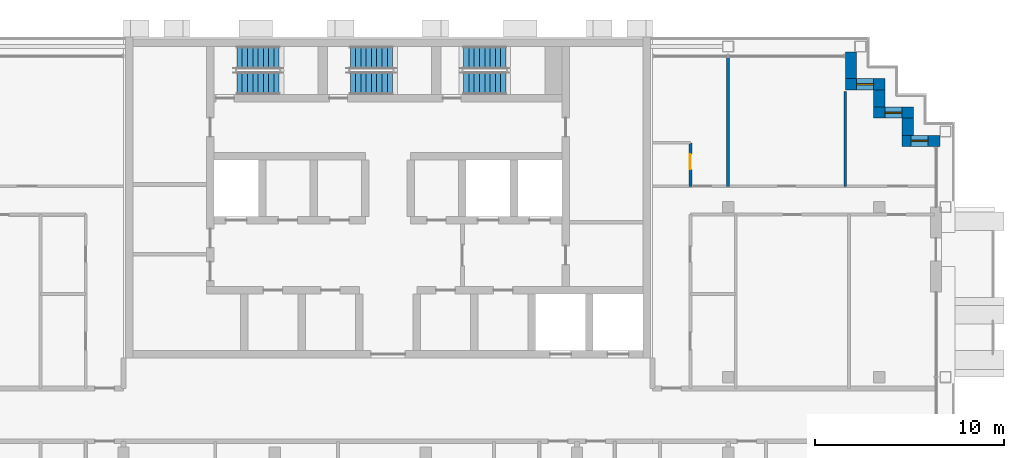
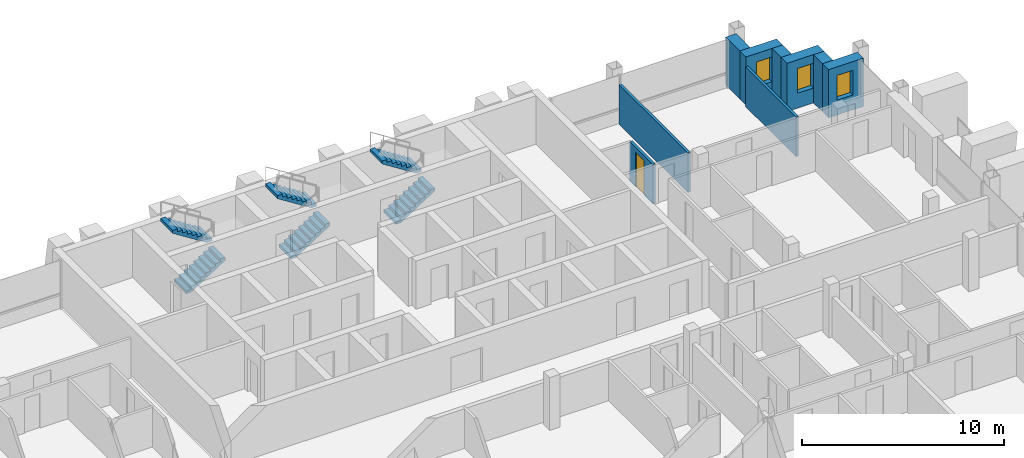
# One storey, part 12 of 16: 9 walls, 6 stair flights, 3 windows, 1 door, 4 openings, 3 elements without a shape of their own.
"""IFC4 building model written with IfcOpenShell, lengths in metres."""

from ifc_helpers import new_model, si_unit, direction, frame, frame_2d, origin, place, context, subcontext, project, spatial, polyline, rectangle, outline, extrude, material, layer, layer_set, type_object, element, fill, aggregate, save


model = new_model("IFC4")

# Units and contexts
model_context = context("Model", 3, precision=1e-05, world=origin(), true_north=direction((0.0, 1.0)))
body_context = subcontext(model_context, "Body", "Model", "MODEL_VIEW")
ifc_project = project(units=[si_unit("LENGTHUNIT", "METRE"), si_unit("AREAUNIT", "SQUARE_METRE"), si_unit("VOLUMEUNIT", "CUBIC_METRE"), si_unit("PLANEANGLEUNIT", "RADIAN"), si_unit("MASSUNIT", "GRAM", prefix="KILO")], contexts=[model_context])

# Site, building, storey
site_placement = place(None, origin())
site = spatial("IfcSite", under=ifc_project, at=site_placement, CompositionType="ELEMENT")
building_placement = place(site_placement, origin())
building = spatial("IfcBuilding", under=site, at=building_placement, Name="Vidyagriha Tower", CompositionType="ELEMENT")
storey_placement = place(building_placement, frame((0.0, 0.0, 207.60009765625)))
storey = spatial("IfcBuildingStorey", under=building, at=storey_placement, Name="L53", CompositionType="ELEMENT", Elevation=207.60009765625)

# Wall, opening, window
ifc_material_1 = material(Name="Precast concrete C40/50 with brick facing", Category="concrete")
ifc_layer_1 = layer(ifc_material_1, 0.60009765625)
ifc_layer_set_1 = layer_set([ifc_layer_1], Name="Precast concrete C40/50 with brick facing")
wall_type_1 = type_object("IfcWallType", Name="Brick-faced precast wall 600", PredefinedType="STANDARD", material=ifc_layer_set_1)
wall_1_placement = place(storey_placement, frame((29.199951171875, 14.5, 0.0), z_axis=(0.0, 0.0, 1.0), x_axis=(-1.0, 0.0, 0.0)))
wall_1 = element("IfcWall", 1, at=wall_1_placement, inside=storey, type_object=wall_type_1, Name="Stepped corner wall L53 R01", PredefinedType="STANDARD", context=body_context, shape_type="SweptSolid", body=[
    extrude(rectangle(XDim=2.0, YDim=0.60009765625, at=frame_2d((1.0, 0.0))), origin(), (0.0, 0.0, 1.0), 2.919921875),
])
opening_1_placement = place(wall_1_placement, frame((0.610107421875, 0.0, 0.89990234375)))
opening_1 = element("IfcOpeningElement", 2, at=opening_1_placement, cuts=wall_1, Name="Opening WN1", PredefinedType="OPENING", context=body_context, shape_type="SweptSolid", body=[
    extrude(rectangle(XDim=0.89990234375, YDim=1.5, at=frame_2d((0.449951171875, 0.75))), frame((0.0, 0.31005859375, 0.0), z_axis=(0.0, -1.0, 0.0), x_axis=(1.0, 0.0, 0.0)), (0.0, 0.0, 1.0), 0.6201171875),
])
ifc_material_2 = material(Name="Aluminium and glass window", Category="aluminium")
window_type = type_object("IfcWindowType", Name="Reveal window 900x1500", PartitioningType="NOTDEFINED", PredefinedType="WINDOW", material=ifc_material_2)
window_1_placement = place(opening_1_placement, origin())
window_1 = element("IfcWindow", 3, at=window_1_placement, inside=storey, type_object=window_type, Name="Reveal window L53 R01", OverallHeight=1.5, OverallWidth=0.89990234375, PartitioningType="SINGLE_PANEL", PredefinedType="WINDOW", context=body_context, shape_type="SweptSolid", body=[
    extrude(rectangle(XDim=0.89990234375, YDim=1.5, at=frame_2d((0.449951171875, 0.75))), frame((0.0, 0.030029296875, 0.0), z_axis=(0.0, -1.0, 0.0), x_axis=(1.0, 0.0, 0.0)), (0.0, 0.0, 1.0), 0.06005859375),
])
fill(opening_1, window_1)

# Wall
wall_2_placement = place(storey_placement, frame((27.5, 14.800048828125, 0.0), z_axis=(0.0, 0.0, 1.0), x_axis=(0.0, 1.0, 0.0)))
element("IfcWall", 4, at=wall_2_placement, inside=storey, type_object=wall_type_1, Name="Stepped corner wall L53 R02", PredefinedType="STANDARD", context=body_context, shape_type="SweptSolid", body=[
    extrude(rectangle(XDim=0.89990234375, YDim=0.60009765625, at=frame_2d((0.449951171875, 0.0))), origin(), (0.0, 0.0, 1.0), 2.919921875),
])

# Wall, opening, window
wall_3_placement = place(storey_placement, frame((27.800048828125, 16.0, 0.0), z_axis=(0.0, 0.0, 1.0), x_axis=(-1.0, 0.0, 0.0)))
wall_3 = element("IfcWall", 5, at=wall_3_placement, inside=storey, type_object=wall_type_1, Name="Stepped corner wall L53 R03", PredefinedType="STANDARD", context=body_context, shape_type="SweptSolid", body=[
    extrude(rectangle(XDim=2.10009765625, YDim=0.60009765625, at=frame_2d((1.050048828125, 0.0))), origin(), (0.0, 0.0, 1.0), 2.919921875),
])
opening_2_placement = place(wall_3_placement, frame((0.60009765625, 0.0, 0.89990234375)))
opening_2 = element("IfcOpeningElement", 6, at=opening_2_placement, cuts=wall_3, Name="Opening WN1", PredefinedType="OPENING", context=body_context, shape_type="SweptSolid", body=[
    extrude(rectangle(XDim=0.89990234375, YDim=1.5, at=frame_2d((0.449951171875, 0.75))), frame((0.0, 0.31005859375, 0.0), z_axis=(0.0, -1.0, 0.0), x_axis=(1.0, 0.0, 0.0)), (0.0, 0.0, 1.0), 0.6201171875),
])
window_2_placement = place(opening_2_placement, origin())
window_2 = element("IfcWindow", 7, at=window_2_placement, inside=storey, type_object=window_type, Name="Reveal window L53 R03", OverallHeight=1.5, OverallWidth=0.89990234375, PartitioningType="SINGLE_PANEL", PredefinedType="WINDOW", context=body_context, shape_type="SweptSolid", body=[
    extrude(rectangle(XDim=0.89990234375, YDim=1.5, at=frame_2d((0.449951171875, 0.75))), frame((0.0, 0.030029296875, 0.0), z_axis=(0.0, -1.0, 0.0), x_axis=(1.0, 0.0, 0.0)), (0.0, 0.0, 1.0), 0.06005859375),
])
fill(opening_2, window_2)

# Wall
wall_4_placement = place(storey_placement, frame((26.0, 16.300048828125, 0.0), z_axis=(0.0, 0.0, 1.0), x_axis=(0.0, 1.0, 0.0)))
element("IfcWall", 8, at=wall_4_placement, inside=storey, type_object=wall_type_1, Name="Stepped corner wall L53 R04", PredefinedType="STANDARD", context=body_context, shape_type="SweptSolid", body=[
    extrude(rectangle(XDim=0.89990234375, YDim=0.60009765625, at=frame_2d((0.449951171875, 0.0))), origin(), (0.0, 0.0, 1.0), 2.919921875),
])

# Wall, opening, window
wall_5_placement = place(storey_placement, frame((26.300048828125, 17.5, 0.0), z_axis=(0.0, 0.0, 1.0), x_axis=(-1.0, 0.0, 0.0)))
wall_5 = element("IfcWall", 9, at=wall_5_placement, inside=storey, type_object=wall_type_1, Name="Stepped corner wall L53 R05", PredefinedType="STANDARD", context=body_context, shape_type="SweptSolid", body=[
    extrude(rectangle(XDim=2.10009765625, YDim=0.60009765625, at=frame_2d((1.050048828125, 0.0))), origin(), (0.0, 0.0, 1.0), 2.919921875),
])
opening_3_placement = place(wall_5_placement, frame((0.60009765625, 0.0, 0.89990234375)))
opening_3 = element("IfcOpeningElement", 10, at=opening_3_placement, cuts=wall_5, Name="Opening WN1", PredefinedType="OPENING", context=body_context, shape_type="SweptSolid", body=[
    extrude(rectangle(XDim=0.89990234375, YDim=1.5, at=frame_2d((0.449951171875, 0.75))), frame((0.0, 0.31005859375, 0.0), z_axis=(0.0, -1.0, 0.0), x_axis=(1.0, 0.0, 0.0)), (0.0, 0.0, 1.0), 0.6201171875),
])
window_3_placement = place(opening_3_placement, origin())
window_3 = element("IfcWindow", 11, at=window_3_placement, inside=storey, type_object=window_type, Name="Reveal window L53 R05", OverallHeight=1.5, OverallWidth=0.89990234375, PartitioningType="SINGLE_PANEL", PredefinedType="WINDOW", context=body_context, shape_type="SweptSolid", body=[
    extrude(rectangle(XDim=0.89990234375, YDim=1.5, at=frame_2d((0.449951171875, 0.75))), frame((0.0, 0.030029296875, 0.0), z_axis=(0.0, -1.0, 0.0), x_axis=(1.0, 0.0, 0.0)), (0.0, 0.0, 1.0), 0.06005859375),
])
fill(opening_3, window_3)

# Walls
wall_6_placement = place(storey_placement, frame((24.5, 17.800048828125, 0.0), z_axis=(0.0, 0.0, 1.0), x_axis=(0.0, 1.0, 0.0)))
element("IfcWall", 12, at=wall_6_placement, inside=storey, type_object=wall_type_1, Name="Stepped corner wall L53 R06", PredefinedType="STANDARD", context=body_context, shape_type="SweptSolid", body=[
    extrude(rectangle(XDim=1.39990234375, YDim=0.60009765625, at=frame_2d((0.699951171875, 0.0))), origin(), (0.0, 0.0, 1.0), 2.919921875),
])
ifc_material_3 = material(Name="Gypsum board partition")
ifc_layer_2 = layer(ifc_material_3, 0.14990234375)
ifc_layer_set_2 = layer_set([ifc_layer_2], Name="Gypsum board partition")
wall_type_2 = type_object("IfcWallType", Name="Gypsum board partition 150", PredefinedType="PARTITIONING", material=ifc_layer_set_2)
wall_7_placement = place(storey_placement, frame((18.0, 18.9208984375, 0.0), z_axis=(0.0, 0.0, 1.0), x_axis=(0.0, -1.0, 0.0)))
element("IfcWall", 13, at=wall_7_placement, inside=storey, type_object=wall_type_2, Name="Wall all-L53-w096", PredefinedType="PARTITIONING", context=body_context, shape_type="SweptSolid", body=[
    extrude(rectangle(XDim=6.82080078125, YDim=0.14990234375, at=frame_2d((3.410400390625, 0.0))), origin(), (0.0, 0.0, 1.0), 2.39990234375),
])
wall_8_placement = place(storey_placement, frame((24.199951171875, 17.1201171875, 0.0), z_axis=(0.0, 0.0, 1.0), x_axis=(0.0, -1.0, 0.0)))
element("IfcWall", 14, at=wall_8_placement, inside=storey, type_object=wall_type_2, Name="Wall all-L53-w097", PredefinedType="PARTITIONING", context=body_context, shape_type="SweptSolid", body=[
    extrude(rectangle(XDim=5.02001953125, YDim=0.14990234375, at=frame_2d((2.510009765625, 0.0))), origin(), (0.0, 0.0, 1.0), 2.39990234375),
])

# Wall, opening, door
wall_9_placement = place(storey_placement, frame((16.0, 14.39990234375, 0.0), z_axis=(0.0, 0.0, 1.0), x_axis=(0.0, -1.0, 0.0)))
wall_9 = element("IfcWall", 15, at=wall_9_placement, inside=storey, type_object=wall_type_2, Name="Wall all-L53-w098", PredefinedType="PARTITIONING", context=body_context, shape_type="SweptSolid", body=[
    extrude(rectangle(XDim=2.2998046875, YDim=0.14990234375, at=frame_2d((1.14990234375, 0.0))), origin(), (0.0, 0.0, 1.0), 2.39990234375),
])
opening_4_placement = place(wall_9_placement, frame((0.60009765625, 0.0, 0.0)))
opening_4 = element("IfcOpeningElement", 16, at=opening_4_placement, cuts=wall_9, Name="Opening D53-63", PredefinedType="OPENING", context=body_context, shape_type="SweptSolid", body=[
    extrude(rectangle(XDim=0.800048828125, YDim=2.10009765625, at=frame_2d((0.39990234375, 1.050048828125))), frame((0.0, 0.0849609375, 0.0), z_axis=(0.0, -1.0, 0.0), x_axis=(1.0, 0.0, 0.0)), (0.0, 0.0, 1.0), 0.169921875),
])
ifc_material_4 = material(Name="Timber door leaf", Category="wood")
door_type = type_object("IfcDoorType", Name="Bathroom door 800x2100", OperationType="NOTDEFINED", PredefinedType="DOOR", material=ifc_material_4)
door_placement = place(opening_4_placement, origin())
door = element("IfcDoor", 17, at=door_placement, inside=storey, type_object=door_type, Name="Door D53-63", OperationType="SINGLE_SWING_RIGHT", OverallHeight=2.10009765625, OverallWidth=0.800048828125, PredefinedType="DOOR", context=body_context, shape_type="SweptSolid", body=[
    extrude(rectangle(XDim=0.800048828125, YDim=2.10009765625, at=frame_2d((0.39990234375, 1.050048828125))), frame((0.0, 0.02490234375, 0.0), z_axis=(0.0, -1.0, 0.0), x_axis=(1.0, 0.0, 0.0)), (0.0, 0.0, 1.0), 0.050048828125),
])
fill(opening_4, door)

# Stair, stair flights
ifc_material_5 = material(Name="Concrete C40/50", Category="concrete")
stair_type = type_object("IfcStairType", Name="Exit stair, half-turn, precast flights", PredefinedType="HALF_TURN_STAIR", material=ifc_material_5)
stair_1_placement = place(storey_placement, origin())
stair_1 = element("IfcStair", 18, at=stair_1_placement, inside=storey, type_object=stair_type, Name="L53 Exit Stair ST1", PredefinedType="HALF_TURN_STAIR")
ifc_material_6 = material(Name="Precast concrete C40/50", Category="concrete")
stair_flight_type = type_object("IfcStairFlightType", Name="Exit stair flight 1200 mm, precast", PredefinedType="STRAIGHT", material=ifc_material_6)
stair_flight_1_placement = place(storey_placement, frame((-8.0, 17.550048828125, 0.0)))
stair_flight_1 = element("IfcStairFlight", 19, at=stair_flight_1_placement, type_object=stair_flight_type, Name="ST1 flight 1", NumberOfRisers=9, NumberOfTreads=8, PredefinedType="STRAIGHT", RiserHeight=0.177777778, TreadLength=0.28, context=body_context, shape_type="SweptSolid", body=[
    extrude(outline(polyline([(0.0, 0.0), (0.0, 0.177734375), (0.280029296875, 0.177734375), (0.280029296875, 0.35546875), (0.56005859375, 0.35546875), (0.56005859375, 0.533447265625), (0.840087890625, 0.533447265625), (0.840087890625, 0.711181640625), (1.1201171875, 0.711181640625), (1.1201171875, 0.888916015625), (1.39990234375, 0.888916015625), (1.39990234375, 1.066650390625), (1.679931640625, 1.066650390625), (1.679931640625, 1.244384765625), (1.9599609375, 1.244384765625), (1.9599609375, 1.422119140625), (2.239990234375, 1.422119140625), (2.239990234375, 1.60009765625), (2.239990234375, 1.24462890625), (0.27978515625, 0.0), (0.0, 0.0)])), frame((0.0, 0.60009765625, 0.0), z_axis=(0.0, -1.0, 0.0), x_axis=(1.0, 0.0, 0.0)), (0.0, 0.0, 1.0), 1.199951171875),
])
stair_flight_2_placement = place(storey_placement, frame((-5.760009765625, 18.89990234375, 1.599853515625), z_axis=(0.0, 0.0, 1.0), x_axis=(-1.0, 0.0, 0.0)))
stair_flight_2 = element("IfcStairFlight", 20, at=stair_flight_2_placement, type_object=stair_flight_type, Name="ST1 flight 2", NumberOfRisers=9, NumberOfTreads=8, PredefinedType="STRAIGHT", RiserHeight=0.177777778, TreadLength=0.28, context=body_context, shape_type="SweptSolid", body=[
    extrude(outline(polyline([(0.0, 0.0), (0.0, 0.177734375), (0.280029296875, 0.177734375), (0.280029296875, 0.35546875), (0.56005859375, 0.35546875), (0.56005859375, 0.533447265625), (0.840087890625, 0.533447265625), (0.840087890625, 0.711181640625), (1.1201171875, 0.711181640625), (1.1201171875, 0.888916015625), (1.39990234375, 0.888916015625), (1.39990234375, 1.066650390625), (1.679931640625, 1.066650390625), (1.679931640625, 1.244384765625), (1.9599609375, 1.244384765625), (1.9599609375, 1.422119140625), (2.239990234375, 1.422119140625), (2.239990234375, 1.60009765625), (2.239990234375, 1.24462890625), (0.27978515625, 0.0), (0.0, 0.0)])), frame((0.0, 0.60009765625, 0.0), z_axis=(0.0, -1.0, 0.0), x_axis=(1.0, 0.0, 0.0)), (0.0, 0.0, 1.0), 1.199951171875),
])
aggregate(stair_1, [stair_flight_1, stair_flight_2])

stair_2_placement = place(storey_placement, origin())
stair_2 = element("IfcStair", 21, at=stair_2_placement, inside=storey, type_object=stair_type, Name="L53 Exit Stair ST2", PredefinedType="HALF_TURN_STAIR")
stair_flight_3_placement = place(storey_placement, frame((-2.0, 17.550048828125, 0.0)))
stair_flight_3 = element("IfcStairFlight", 22, at=stair_flight_3_placement, type_object=stair_flight_type, Name="ST2 flight 1", NumberOfRisers=9, NumberOfTreads=8, PredefinedType="STRAIGHT", RiserHeight=0.177777778, TreadLength=0.28, context=body_context, shape_type="SweptSolid", body=[
    extrude(outline(polyline([(0.0, 0.0), (0.0, 0.177734375), (0.280029296875, 0.177734375), (0.280029296875, 0.35546875), (0.56005859375, 0.35546875), (0.56005859375, 0.533447265625), (0.840087890625, 0.533447265625), (0.840087890625, 0.711181640625), (1.1201171875, 0.711181640625), (1.1201171875, 0.888916015625), (1.39990234375, 0.888916015625), (1.39990234375, 1.066650390625), (1.679931640625, 1.066650390625), (1.679931640625, 1.244384765625), (1.9599609375, 1.244384765625), (1.9599609375, 1.422119140625), (2.239990234375, 1.422119140625), (2.239990234375, 1.60009765625), (2.239990234375, 1.24462890625), (0.27978515625, 0.0), (0.0, 0.0)])), frame((0.0, 0.60009765625, 0.0), z_axis=(0.0, -1.0, 0.0), x_axis=(1.0, 0.0, 0.0)), (0.0, 0.0, 1.0), 1.199951171875),
])
stair_flight_4_placement = place(storey_placement, frame((0.239990234375, 18.89990234375, 1.599853515625), z_axis=(0.0, 0.0, 1.0), x_axis=(-1.0, 0.0, 0.0)))
stair_flight_4 = element("IfcStairFlight", 23, at=stair_flight_4_placement, type_object=stair_flight_type, Name="ST2 flight 2", NumberOfRisers=9, NumberOfTreads=8, PredefinedType="STRAIGHT", RiserHeight=0.177777778, TreadLength=0.28, context=body_context, shape_type="SweptSolid", body=[
    extrude(outline(polyline([(0.0, 0.0), (0.0, 0.177734375), (0.280029296875, 0.177734375), (0.280029296875, 0.35546875), (0.56005859375, 0.35546875), (0.56005859375, 0.533447265625), (0.840087890625, 0.533447265625), (0.840087890625, 0.711181640625), (1.1201171875, 0.711181640625), (1.1201171875, 0.888916015625), (1.39990234375, 0.888916015625), (1.39990234375, 1.066650390625), (1.679931640625, 1.066650390625), (1.679931640625, 1.244384765625), (1.9599609375, 1.244384765625), (1.9599609375, 1.422119140625), (2.239990234375, 1.422119140625), (2.239990234375, 1.60009765625), (2.239990234375, 1.24462890625), (0.27978515625, 0.0), (0.0, 0.0)])), frame((0.0, 0.60009765625, 0.0), z_axis=(0.0, -1.0, 0.0), x_axis=(1.0, 0.0, 0.0)), (0.0, 0.0, 1.0), 1.199951171875),
])
aggregate(stair_2, [stair_flight_3, stair_flight_4])

stair_3_placement = place(storey_placement, origin())
stair_3 = element("IfcStair", 24, at=stair_3_placement, inside=storey, type_object=stair_type, Name="L53 Exit Stair ST3", PredefinedType="HALF_TURN_STAIR")
stair_flight_5_placement = place(storey_placement, frame((4.0, 17.550048828125, 0.0)))
stair_flight_5 = element("IfcStairFlight", 25, at=stair_flight_5_placement, type_object=stair_flight_type, Name="ST3 flight 1", NumberOfRisers=9, NumberOfTreads=8, PredefinedType="STRAIGHT", RiserHeight=0.177777778, TreadLength=0.28, context=body_context, shape_type="SweptSolid", body=[
    extrude(outline(polyline([(0.0, 0.0), (0.0, 0.177734375), (0.280029296875, 0.177734375), (0.280029296875, 0.35546875), (0.56005859375, 0.35546875), (0.56005859375, 0.533447265625), (0.840087890625, 0.533447265625), (0.840087890625, 0.711181640625), (1.1201171875, 0.711181640625), (1.1201171875, 0.888916015625), (1.39990234375, 0.888916015625), (1.39990234375, 1.066650390625), (1.679931640625, 1.066650390625), (1.679931640625, 1.244384765625), (1.9599609375, 1.244384765625), (1.9599609375, 1.422119140625), (2.239990234375, 1.422119140625), (2.239990234375, 1.60009765625), (2.239990234375, 1.24462890625), (0.27978515625, 0.0), (0.0, 0.0)])), frame((0.0, 0.60009765625, 0.0), z_axis=(0.0, -1.0, 0.0), x_axis=(1.0, 0.0, 0.0)), (0.0, 0.0, 1.0), 1.199951171875),
])
stair_flight_6_placement = place(storey_placement, frame((6.239990234375, 18.89990234375, 1.599853515625), z_axis=(0.0, 0.0, 1.0), x_axis=(-1.0, 0.0, 0.0)))
stair_flight_6 = element("IfcStairFlight", 26, at=stair_flight_6_placement, type_object=stair_flight_type, Name="ST3 flight 2", NumberOfRisers=9, NumberOfTreads=8, PredefinedType="STRAIGHT", RiserHeight=0.177777778, TreadLength=0.28, context=body_context, shape_type="SweptSolid", body=[
    extrude(outline(polyline([(0.0, 0.0), (0.0, 0.177734375), (0.280029296875, 0.177734375), (0.280029296875, 0.35546875), (0.56005859375, 0.35546875), (0.56005859375, 0.533447265625), (0.840087890625, 0.533447265625), (0.840087890625, 0.711181640625), (1.1201171875, 0.711181640625), (1.1201171875, 0.888916015625), (1.39990234375, 0.888916015625), (1.39990234375, 1.066650390625), (1.679931640625, 1.066650390625), (1.679931640625, 1.244384765625), (1.9599609375, 1.244384765625), (1.9599609375, 1.422119140625), (2.239990234375, 1.422119140625), (2.239990234375, 1.60009765625), (2.239990234375, 1.24462890625), (0.27978515625, 0.0), (0.0, 0.0)])), frame((0.0, 0.60009765625, 0.0), z_axis=(0.0, -1.0, 0.0), x_axis=(1.0, 0.0, 0.0)), (0.0, 0.0, 1.0), 1.199951171875),
])
aggregate(stair_3, [stair_flight_5, stair_flight_6])

save(model, "model.ifc")
